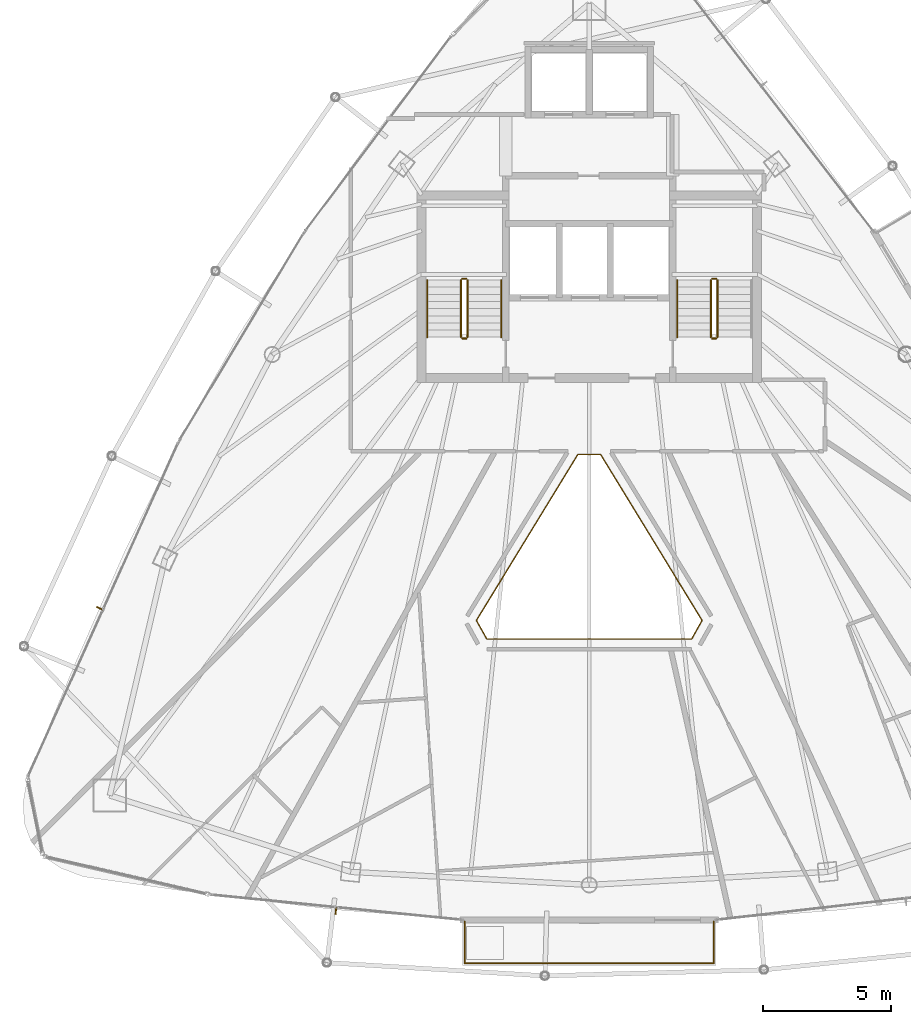
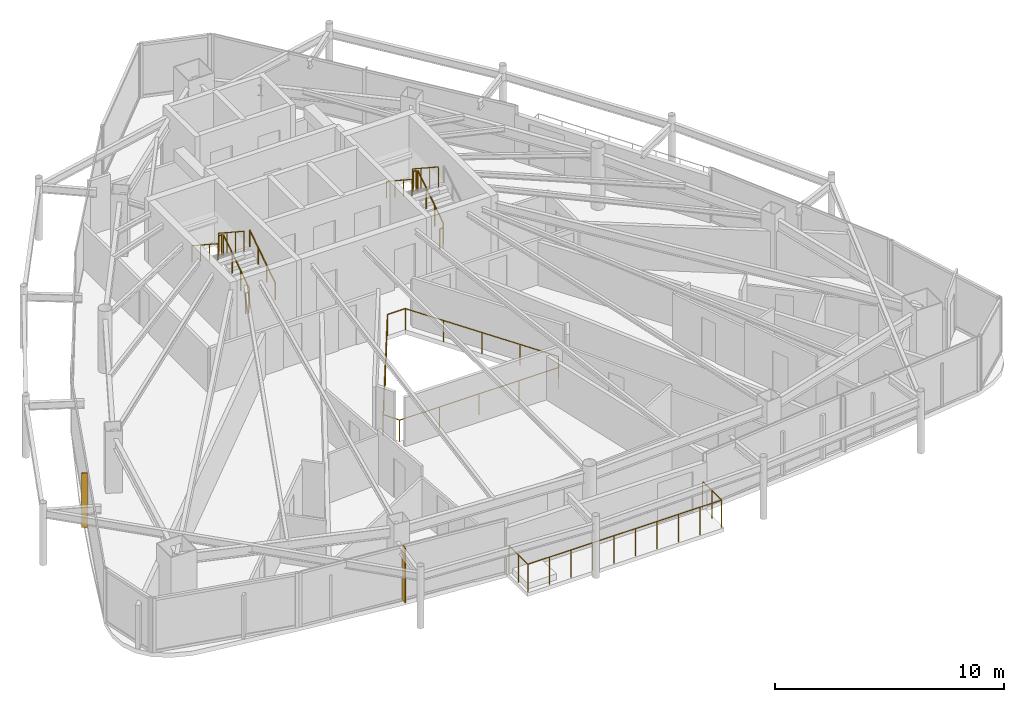
# One storey, part 28 of 29: 13 railings, 2 shading devices.
"""IFC4 building model written with IfcOpenShell, lengths in metres."""

from ifc_helpers import new_model, si_unit, direction, frame, origin, origin_2d, place, context, subcontext, project, spatial, rectangle, circle, extrude, material, layer, layer_set, type_object, element, save


model = new_model("IFC4")

# Units and contexts
model_context = context("Model", 3, precision=1e-05, world=origin(), true_north=direction((0.0, 1.0)))
body_context = subcontext(model_context, "Body", "Model", "MODEL_VIEW")
ifc_project = project(units=[si_unit("LENGTHUNIT", "METRE"), si_unit("AREAUNIT", "SQUARE_METRE"), si_unit("VOLUMEUNIT", "CUBIC_METRE"), si_unit("PLANEANGLEUNIT", "RADIAN"), si_unit("MASSUNIT", "GRAM", prefix="KILO")], contexts=[model_context])

# Site, building, storey
site_placement = place(None, origin())
site = spatial("IfcSite", under=ifc_project, at=site_placement, CompositionType="ELEMENT")
building_placement = place(site_placement, origin())
building = spatial("IfcBuilding", under=site, at=building_placement, Name="Orvanel Arch Residences", CompositionType="ELEMENT")
storey_placement = place(building_placement, frame((0.0, 0.0, 253.550048828125)))
storey = spatial("IfcBuildingStorey", under=building, at=storey_placement, Name="L72", CompositionType="ELEMENT", Elevation=253.550048828125)

# Shading devices
ifc_material_1 = material(Name="Bronze-anodised aluminium AA6063-T6", Category="aluminium")
ifc_layer = layer(ifc_material_1, 0.050048828125)
ifc_layer_set = layer_set([ifc_layer], Name="Bronze-anodised aluminium AA6063-T6")
shading_device_type = type_object("IfcShadingDeviceType", Name="FIN-BRZ-260", PredefinedType="USERDEFINED", material=ifc_layer_set)
for number, where, z_axis, x_axis, name in (
    (1, (13.7939453125, 17.696044921875, 0.0), (0.0, 0.0, 1.0), (-0.912120116172, 0.409923033842, 0.0), "L72 Anodised Bronze Mullion FIN 01"),
    (2, (23.06298828125, 5.81298828125, 0.0), (0.0, 0.0, 1.0), (-0.099319749744, -0.995055569961, 0.0), "L72 Anodised Bronze Mullion FIN 01"),
):
    element("IfcShadingDevice", number, at=place(storey_placement, frame(where, z_axis=z_axis, x_axis=x_axis)), inside=storey, type_object=shading_device_type, Name=name, ObjectType="FIN", PredefinedType="USERDEFINED", context=body_context, shape_type="SweptSolid", body=[
        extrude(rectangle(XDim=0.260009765625, YDim=0.050048828125, at=origin_2d()), origin(), (0.0, 0.0, 1.0), 2.89990234375),
    ])

# Railings
railing_type_1 = type_object("IfcRailingType", Name="RL-ATR-1150", PredefinedType="BALUSTRADE", material=ifc_material_1)
railing_1_placement = place(storey_placement, frame((33.447998046875, 23.717041015625, 0.0)))
element("IfcRailing", 3, at=railing_1_placement, inside=storey, type_object=railing_type_1, Name="L72 Atrium Void Protective Balustrade", PredefinedType="BALUSTRADE", context=body_context, shape_type="SweptSolid", body=[
    extrude(circle(Radius=0.02392578125, at=origin_2d()), frame((-0.00146484375, 0.0, 1.1259765625), z_axis=(-1.0, 0.0, 0.0), x_axis=(0.0, -1.0, 0.0)), (0.0, 0.0, 1.0), 0.89306640625),
    extrude(circle(Radius=0.02392578125, at=origin_2d()), frame((-0.896728515625, -0.001220703125, 1.1259765625), z_axis=(-0.521610684309, -0.853183622683, 0.0), x_axis=(0.853183622683, -0.521610684309, 0.0)), (0.0, 0.0, 1.0), 7.617919921875),
    extrude(circle(Radius=0.02392578125, at=origin_2d()), frame((-4.870361328125, -6.503173828125, 1.1259765625), z_axis=(0.489116257899, -0.872218600042, 0.0), x_axis=(0.872218600042, 0.489116257899, 0.0)), (0.0, 0.0, 1.0), 0.837646484375),
    extrude(circle(Radius=0.02392578125, at=origin_2d()), frame((-4.45849609375, -7.235107421875, 1.1259765625), z_axis=(1.0, 0.0, 0.0), x_axis=(0.0, 1.0, 0.0)), (0.0, 0.0, 1.0), 8.02099609375),
    extrude(circle(Radius=0.02392578125, at=origin_2d()), frame((3.564697265625, -7.23388671875, 1.1259765625), z_axis=(0.489116257899, 0.872218600042, 0.0), x_axis=(-0.872218600042, 0.489116257899, 0.0)), (0.0, 0.0, 1.0), 0.837646484375),
    extrude(circle(Radius=0.02392578125, at=origin_2d()), frame((3.974365234375, -6.500732421875, 1.1259765625), z_axis=(-0.521610684309, 0.853183622683, 0.0), x_axis=(-0.853183622683, -0.521610684309, 0.0)), (0.0, 0.0, 1.0), 7.617919921875),
    extrude(circle(Radius=0.02099609375, at=origin_2d()), origin(), (0.0, 0.0, 1.0), 1.099853515625),
    extrude(circle(Radius=0.02099609375, at=origin_2d()), frame((-0.89599609375, 0.0, 0.0)), (0.0, 0.0, 1.0), 1.099853515625),
    extrude(circle(Radius=0.02099609375, at=origin_2d()), frame((-1.8896484375, -1.62548828125, 0.0)), (0.0, 0.0, 1.0), 1.099853515625),
    extrude(circle(Radius=0.02099609375, at=origin_2d()), frame((-2.883544921875, -3.2509765625, 0.0)), (0.0, 0.0, 1.0), 1.099853515625),
    extrude(circle(Radius=0.02099609375, at=origin_2d()), frame((-3.87744140625, -4.87646484375, 0.0)), (0.0, 0.0, 1.0), 1.099853515625),
    extrude(circle(Radius=0.02099609375, at=origin_2d()), frame((-4.87109375, -6.501953125, 0.0)), (0.0, 0.0, 1.0), 1.099853515625),
    extrude(circle(Radius=0.02099609375, at=origin_2d()), frame((-4.4599609375, -7.235107421875, 0.0)), (0.0, 0.0, 1.0), 1.099853515625),
    extrude(circle(Radius=0.02099609375, at=origin_2d()), frame((-2.4541015625, -7.235107421875, 0.0)), (0.0, 0.0, 1.0), 1.099853515625),
    extrude(circle(Radius=0.02099609375, at=origin_2d()), frame((-0.447998046875, -7.235107421875, 0.0)), (0.0, 0.0, 1.0), 1.099853515625),
    extrude(circle(Radius=0.02099609375, at=origin_2d()), frame((1.55810546875, -7.235107421875, 0.0)), (0.0, 0.0, 1.0), 1.099853515625),
    extrude(circle(Radius=0.02099609375, at=origin_2d()), frame((3.56396484375, -7.235107421875, 0.0)), (0.0, 0.0, 1.0), 1.099853515625),
    extrude(circle(Radius=0.02099609375, at=origin_2d()), frame((3.97509765625, -6.501953125, 0.0)), (0.0, 0.0, 1.0), 1.099853515625),
    extrude(circle(Radius=0.02099609375, at=origin_2d()), frame((2.9814453125, -4.87646484375, 0.0)), (0.0, 0.0, 1.0), 1.099853515625),
    extrude(circle(Radius=0.02099609375, at=origin_2d()), frame((1.987548828125, -3.2509765625, 0.0)), (0.0, 0.0, 1.0), 1.099853515625),
    extrude(circle(Radius=0.02099609375, at=origin_2d()), frame((0.99365234375, -1.62548828125, 0.0)), (0.0, 0.0, 1.0), 1.099853515625),
])
railing_type_2 = type_object("IfcRailingType", Name="RL-BAL-1480", PredefinedType="BALUSTRADE", material=ifc_material_1)
railing_2_placement = place(storey_placement, frame((28.118896484375, 5.409912109375, 0.0)))
element("IfcRailing", 4, at=railing_2_placement, inside=storey, type_object=railing_type_2, Name="L72 Balcony Perimeter Guardrail Face 2", PredefinedType="BALUSTRADE", context=body_context, shape_type="SweptSolid", body=[
    extrude(circle(Radius=0.02392578125, at=origin_2d()), frame((0.0, -0.00146484375, 1.4560546875), z_axis=(0.0, -1.0, 0.0), x_axis=(1.0, 0.0, 0.0)), (0.0, 0.0, 1.0), 1.636962890625),
    extrude(circle(Radius=0.02392578125, at=origin_2d()), frame((0.00146484375, -1.639892578125, 1.4560546875), z_axis=(1.0, 0.0, 0.0), x_axis=(0.0, 1.0, 0.0)), (0.0, 0.0, 1.0), 9.75927734375),
    extrude(circle(Radius=0.02392578125, at=origin_2d()), frame((9.76220703125, -1.638427734375, 1.4560546875), z_axis=(0.0, 1.0, 0.0), x_axis=(-1.0, 0.0, 0.0)), (0.0, 0.0, 1.0), 1.636962890625),
    extrude(circle(Radius=0.02099609375, at=origin_2d()), origin(), (0.0, 0.0, 1.0), 1.429931640625),
    extrude(circle(Radius=0.02099609375, at=origin_2d()), frame((0.0, -0.81982421875, 0.0)), (0.0, 0.0, 1.0), 1.429931640625),
    extrude(circle(Radius=0.02099609375, at=origin_2d()), frame((0.0, -1.639892578125, 0.0)), (0.0, 0.0, 1.0), 1.429931640625),
    extrude(circle(Radius=0.02099609375, at=origin_2d()), frame((1.084716796875, -1.639892578125, 0.0)), (0.0, 0.0, 1.0), 1.429931640625),
    extrude(circle(Radius=0.02099609375, at=origin_2d()), frame((2.16943359375, -1.639892578125, 0.0)), (0.0, 0.0, 1.0), 1.429931640625),
    extrude(circle(Radius=0.02099609375, at=origin_2d()), frame((3.254150390625, -1.639892578125, 0.0)), (0.0, 0.0, 1.0), 1.429931640625),
    extrude(circle(Radius=0.02099609375, at=origin_2d()), frame((4.3388671875, -1.639892578125, 0.0)), (0.0, 0.0, 1.0), 1.429931640625),
    extrude(circle(Radius=0.02099609375, at=origin_2d()), frame((5.42333984375, -1.639892578125, 0.0)), (0.0, 0.0, 1.0), 1.429931640625),
    extrude(circle(Radius=0.02099609375, at=origin_2d()), frame((6.508056640625, -1.639892578125, 0.0)), (0.0, 0.0, 1.0), 1.429931640625),
    extrude(circle(Radius=0.02099609375, at=origin_2d()), frame((7.5927734375, -1.639892578125, 0.0)), (0.0, 0.0, 1.0), 1.429931640625),
    extrude(circle(Radius=0.02099609375, at=origin_2d()), frame((8.677490234375, -1.639892578125, 0.0)), (0.0, 0.0, 1.0), 1.429931640625),
    extrude(circle(Radius=0.02099609375, at=origin_2d()), frame((9.76220703125, -1.639892578125, 0.0)), (0.0, 0.0, 1.0), 1.429931640625),
    extrude(circle(Radius=0.02099609375, at=origin_2d()), frame((9.76220703125, -0.81982421875, 0.0)), (0.0, 0.0, 1.0), 1.429931640625),
    extrude(circle(Radius=0.02099609375, at=origin_2d()), frame((9.76220703125, 0.0, 0.0)), (0.0, 0.0, 1.0), 1.429931640625),
])
ifc_material_2 = material(Name="Structural steel AS/NZS 1163 C350L0 (Grade 350)", Category="steel")
railing_type_3 = type_object("IfcRailingType", Name="RL-STAIR-GUARD", PredefinedType="GUARDRAIL", material=ifc_material_2)
railing_3_placement = place(storey_placement, frame((28.22998046875, 28.320068359375, 0.183349609375)))
element("IfcRailing", 5, at=railing_3_placement, inside=storey, type_object=railing_type_3, Name="L72 ST-1 stair guard 1", PredefinedType="GUARDRAIL", context=body_context, shape_type="SweptSolid", body=[
    extrude(circle(Radius=0.02392578125, at=origin_2d()), frame((0.0, 0.001220703125, 1.076904296875), z_axis=(0.0, 0.836636935527, 0.547757827979), x_axis=(-1.0, 0.0, 0.0)), (0.0, 0.0, 1.0), 2.67431640625),
    extrude(circle(Radius=0.02099609375, at=origin_2d()), origin(), (0.0, 0.0, 1.0), 1.050048828125),
    extrude(circle(Radius=0.02099609375, at=origin_2d()), frame((0.0, 0.74658203125, 0.48876953125)), (0.0, 0.0, 1.0), 1.050048828125),
    extrude(circle(Radius=0.02099609375, at=origin_2d()), frame((0.0, 1.493408203125, 0.977783203125)), (0.0, 0.0, 1.0), 1.050048828125),
    extrude(circle(Radius=0.02099609375, at=origin_2d()), frame((0.0, 2.239990234375, 1.466552734375)), (0.0, 0.0, 1.0), 1.050048828125),
])
railing_4_placement = place(storey_placement, frame((28.179931640625, 30.610107421875, 1.64990234375)))
element("IfcRailing", 6, at=railing_4_placement, inside=storey, type_object=railing_type_3, Name="L72 ST-1 stair guard 2", PredefinedType="GUARDRAIL", context=body_context, shape_type="SweptSolid", body=[
    extrude(circle(Radius=0.02392578125, at=origin_2d()), frame((-0.00146484375, 0.0, 1.076171875), z_axis=(-1.0, 0.0, 0.0), x_axis=(0.0, -1.0, 0.0)), (0.0, 0.0, 1.0), 0.156982421875),
    extrude(circle(Radius=0.02099609375, at=origin_2d()), origin(), (0.0, 0.0, 1.0), 1.050048828125),
    extrude(circle(Radius=0.02099609375, at=origin_2d()), frame((-0.159912109375, 0.0, 0.0)), (0.0, 0.0, 1.0), 1.050048828125),
])
railing_5_placement = place(storey_placement, frame((27.969970703125, 30.56005859375, 1.833251953125)))
element("IfcRailing", 7, at=railing_5_placement, inside=storey, type_object=railing_type_3, Name="L72 ST-1 stair guard 3", PredefinedType="GUARDRAIL", context=body_context, shape_type="SweptSolid", body=[
    extrude(circle(Radius=0.02392578125, at=origin_2d()), frame((0.0, -0.001220703125, 1.076904296875), z_axis=(0.0, -0.836595146698, 0.547821650285), x_axis=(1.0, 0.0, 0.0)), (0.0, 0.0, 1.0), 2.674560546875),
    extrude(circle(Radius=0.02099609375, at=origin_2d()), origin(), (0.0, 0.0, 1.0), 1.050048828125),
    extrude(circle(Radius=0.02099609375, at=origin_2d()), frame((0.0, -0.74658203125, 0.489013671875)), (0.0, 0.0, 1.0), 1.050048828125),
    extrude(circle(Radius=0.02099609375, at=origin_2d()), frame((0.0, -1.493408203125, 0.977783203125)), (0.0, 0.0, 1.0), 1.050048828125),
    extrude(circle(Radius=0.02099609375, at=origin_2d()), frame((0.0, -2.239990234375, 1.466796875)), (0.0, 0.0, 1.0), 1.050048828125),
])
railing_6_placement = place(storey_placement, frame((28.179931640625, 28.27001953125, 0.0)))
element("IfcRailing", 8, at=railing_6_placement, inside=storey, type_object=railing_type_3, Name="L72 ST-1 stair guard 4", PredefinedType="GUARDRAIL", context=body_context, shape_type="SweptSolid", body=[
    extrude(circle(Radius=0.02392578125, at=origin_2d()), frame((-0.00146484375, 0.0, 1.076171875), z_axis=(-1.0, 0.0, 0.0), x_axis=(0.0, -1.0, 0.0)), (0.0, 0.0, 1.0), 0.156982421875),
    extrude(circle(Radius=0.02099609375, at=origin_2d()), origin(), (0.0, 0.0, 1.0), 1.050048828125),
    extrude(circle(Radius=0.02099609375, at=origin_2d()), frame((-0.159912109375, 0.0, 0.0)), (0.0, 0.0, 1.0), 1.050048828125),
])
railing_7_placement = place(storey_placement, frame((38.030029296875, 28.320068359375, 0.183349609375)))
element("IfcRailing", 9, at=railing_7_placement, inside=storey, type_object=railing_type_3, Name="L72 ST-2 stair guard 1", PredefinedType="GUARDRAIL", context=body_context, shape_type="SweptSolid", body=[
    extrude(circle(Radius=0.02392578125, at=origin_2d()), frame((0.0, 0.001220703125, 1.076904296875), z_axis=(0.0, 0.836636935527, 0.547757827979), x_axis=(-1.0, 0.0, 0.0)), (0.0, 0.0, 1.0), 2.67431640625),
    extrude(circle(Radius=0.02099609375, at=origin_2d()), origin(), (0.0, 0.0, 1.0), 1.050048828125),
    extrude(circle(Radius=0.02099609375, at=origin_2d()), frame((0.0, 0.74658203125, 0.48876953125)), (0.0, 0.0, 1.0), 1.050048828125),
    extrude(circle(Radius=0.02099609375, at=origin_2d()), frame((0.0, 1.493408203125, 0.977783203125)), (0.0, 0.0, 1.0), 1.050048828125),
    extrude(circle(Radius=0.02099609375, at=origin_2d()), frame((0.0, 2.239990234375, 1.466552734375)), (0.0, 0.0, 1.0), 1.050048828125),
])
railing_8_placement = place(storey_placement, frame((37.97998046875, 30.610107421875, 1.64990234375)))
element("IfcRailing", 10, at=railing_8_placement, inside=storey, type_object=railing_type_3, Name="L72 ST-2 stair guard 2", PredefinedType="GUARDRAIL", context=body_context, shape_type="SweptSolid", body=[
    extrude(circle(Radius=0.02392578125, at=origin_2d()), frame((-0.00146484375, 0.0, 1.076171875), z_axis=(-1.0, 0.0, 0.0), x_axis=(0.0, -1.0, 0.0)), (0.0, 0.0, 1.0), 0.156982421875),
    extrude(circle(Radius=0.02099609375, at=origin_2d()), origin(), (0.0, 0.0, 1.0), 1.050048828125),
    extrude(circle(Radius=0.02099609375, at=origin_2d()), frame((-0.159912109375, 0.0, 0.0)), (0.0, 0.0, 1.0), 1.050048828125),
])
railing_9_placement = place(storey_placement, frame((37.77001953125, 30.56005859375, 1.833251953125)))
element("IfcRailing", 11, at=railing_9_placement, inside=storey, type_object=railing_type_3, Name="L72 ST-2 stair guard 3", PredefinedType="GUARDRAIL", context=body_context, shape_type="SweptSolid", body=[
    extrude(circle(Radius=0.02392578125, at=origin_2d()), frame((0.0, -0.001220703125, 1.076904296875), z_axis=(0.0, -0.836595146698, 0.547821650285), x_axis=(1.0, 0.0, 0.0)), (0.0, 0.0, 1.0), 2.674560546875),
    extrude(circle(Radius=0.02099609375, at=origin_2d()), origin(), (0.0, 0.0, 1.0), 1.050048828125),
    extrude(circle(Radius=0.02099609375, at=origin_2d()), frame((0.0, -0.74658203125, 0.489013671875)), (0.0, 0.0, 1.0), 1.050048828125),
    extrude(circle(Radius=0.02099609375, at=origin_2d()), frame((0.0, -1.493408203125, 0.977783203125)), (0.0, 0.0, 1.0), 1.050048828125),
    extrude(circle(Radius=0.02099609375, at=origin_2d()), frame((0.0, -2.239990234375, 1.466796875)), (0.0, 0.0, 1.0), 1.050048828125),
])
railing_10_placement = place(storey_placement, frame((37.97998046875, 28.27001953125, 0.0)))
element("IfcRailing", 12, at=railing_10_placement, inside=storey, type_object=railing_type_3, Name="L72 ST-2 stair guard 4", PredefinedType="GUARDRAIL", context=body_context, shape_type="SweptSolid", body=[
    extrude(circle(Radius=0.02392578125, at=origin_2d()), frame((-0.00146484375, 0.0, 1.076171875), z_axis=(-1.0, 0.0, 0.0), x_axis=(0.0, -1.0, 0.0)), (0.0, 0.0, 1.0), 0.156982421875),
    extrude(circle(Radius=0.02099609375, at=origin_2d()), origin(), (0.0, 0.0, 1.0), 1.050048828125),
    extrude(circle(Radius=0.02099609375, at=origin_2d()), frame((-0.159912109375, 0.0, 0.0)), (0.0, 0.0, 1.0), 1.050048828125),
])
railing_type_4 = type_object("IfcRailingType", Name="RL-STAIR-HAND", PredefinedType="HANDRAIL", material=ifc_material_2)
railing_11_placement = place(storey_placement, frame((29.550048828125, 28.320068359375, 0.183349609375)))
element("IfcRailing", 13, at=railing_11_placement, inside=storey, type_object=railing_type_4, Name="L72 ST-1 stair handrail 1", PredefinedType="HANDRAIL", context=body_context, shape_type="SweptSolid", body=[
    extrude(circle(Radius=0.02392578125, at=origin_2d()), frame((0.0, 0.001220703125, 0.876708984375), z_axis=(0.0, 0.836636935527, 0.547757827979), x_axis=(-1.0, 0.0, 0.0)), (0.0, 0.0, 1.0), 2.67431640625),
    extrude(circle(Radius=0.02099609375, at=origin_2d()), origin(), (0.0, 0.0, 1.0), 0.849853515625),
    extrude(circle(Radius=0.02099609375, at=origin_2d()), frame((0.0, 0.74658203125, 0.48876953125)), (0.0, 0.0, 1.0), 0.849853515625),
    extrude(circle(Radius=0.02099609375, at=origin_2d()), frame((0.0, 1.493408203125, 0.977783203125)), (0.0, 0.0, 1.0), 0.849853515625),
    extrude(circle(Radius=0.02099609375, at=origin_2d()), frame((0.0, 2.239990234375, 1.466552734375)), (0.0, 0.0, 1.0), 0.849853515625),
])
for number, where, name in (
    (14, (26.64990234375, 30.56005859375, 1.833251953125), "L72 ST-1 stair handrail 2"),
    (15, (36.449951171875, 30.56005859375, 1.833251953125), "L72 ST-2 stair handrail 2"),
):
    element("IfcRailing", number, at=place(storey_placement, frame(where)), inside=storey, type_object=railing_type_4, Name=name, PredefinedType="HANDRAIL", context=body_context, shape_type="SweptSolid", body=[
        extrude(circle(Radius=0.02392578125, at=origin_2d()), frame((0.0, -0.001220703125, 0.876708984375), z_axis=(0.0, -0.836595146698, 0.547821650285), x_axis=(1.0, 0.0, 0.0)), (0.0, 0.0, 1.0), 2.674560546875),
        extrude(circle(Radius=0.02099609375, at=origin_2d()), origin(), (0.0, 0.0, 1.0), 0.849853515625),
        extrude(circle(Radius=0.02099609375, at=origin_2d()), frame((0.0, -0.74658203125, 0.489013671875)), (0.0, 0.0, 1.0), 0.849853515625),
        extrude(circle(Radius=0.02099609375, at=origin_2d()), frame((0.0, -1.493408203125, 0.977783203125)), (0.0, 0.0, 1.0), 0.849853515625),
        extrude(circle(Radius=0.02099609375, at=origin_2d()), frame((0.0, -2.239990234375, 1.466796875)), (0.0, 0.0, 1.0), 0.849853515625),
    ])

save(model, "model.ifc")
